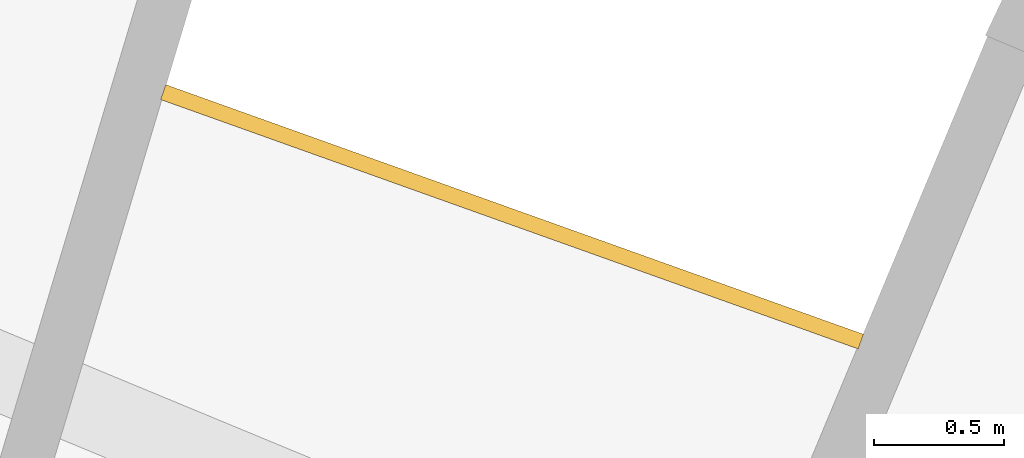
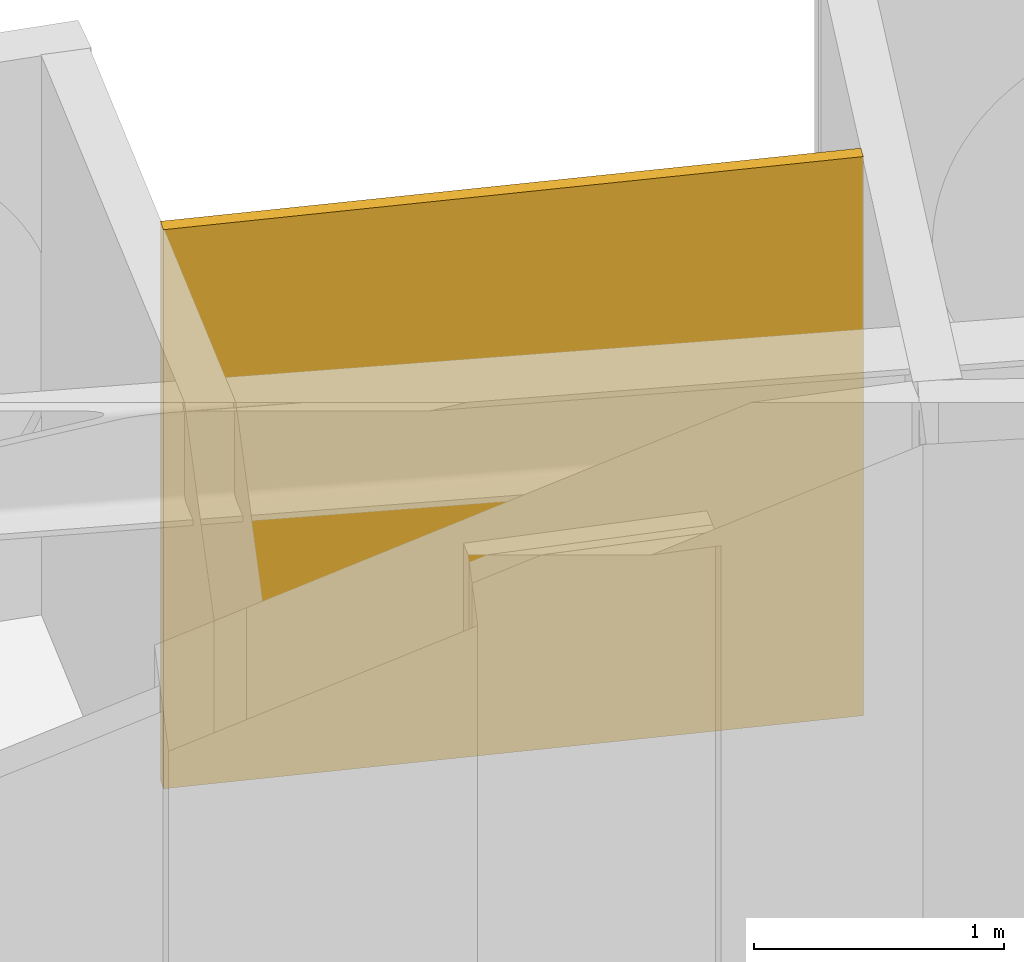
# One storey, part 26 of 26: 1 railing.
"""IFC4 building model written with IfcOpenShell, lengths in metres."""

from ifc_helpers import new_model, si_unit, direction, frame, origin, place, context, subcontext, project, spatial, polyline, outline, extrude, material, layer, layer_set, type_object, element, save


model = new_model("IFC4")

# Units and contexts
model_context = context("Model", 3, precision=1e-05, world=origin(), true_north=direction((0.0, 1.0)))
body_context = subcontext(model_context, "Body", "Model", "MODEL_VIEW")
ifc_project = project(units=[si_unit("LENGTHUNIT", "METRE"), si_unit("AREAUNIT", "SQUARE_METRE"), si_unit("VOLUMEUNIT", "CUBIC_METRE"), si_unit("PLANEANGLEUNIT", "RADIAN"), si_unit("MASSUNIT", "GRAM", prefix="KILO")], contexts=[model_context])

# Site, building, storey
site_placement = place(None, origin())
site = spatial("IfcSite", under=ifc_project, at=site_placement, CompositionType="ELEMENT")
building_placement = place(site_placement, origin())
building = spatial("IfcBuilding", under=site, at=building_placement, Name="Maasbend Ring Residences", CompositionType="ELEMENT")
storey_placement = place(building_placement, frame((0.0, 0.0, 81.89990234375)))
storey = spatial("IfcBuildingStorey", under=building, at=storey_placement, Name="L23", CompositionType="ELEMENT", Elevation=81.89990234375)

# Railing
ifc_material = material(Name="Pale anodised perforated aluminium", Category="aluminium")
ifc_layer = layer(ifc_material, 0.06005859375)
ifc_layer_set = layer_set([ifc_layer], Name="SCREEN-P")
railing_type = type_object("IfcRailingType", Name="SCREEN-P", PredefinedType="GUARDRAIL", material=ifc_layer_set)
railing_placement = place(storey_placement, frame((0.0, 0.0, -0.02978515625)))
element("IfcRailing", 1, at=railing_placement, inside=storey, type_object=railing_type, Name="Perforated screen guard 4", PredefinedType="GUARDRAIL", context=body_context, shape_type="SweptSolid", body=[
    extrude(outline(polyline([(11.097900390625, 26.79296875), (8.41796875, 27.7509765625), (8.43798828125, 27.80810546875), (11.117919921875, 26.84912109375), (11.097900390625, 26.79296875)])), origin(), (0.0, 0.0, 1.0), 2.72998046875),
])

save(model, "model.ifc")
